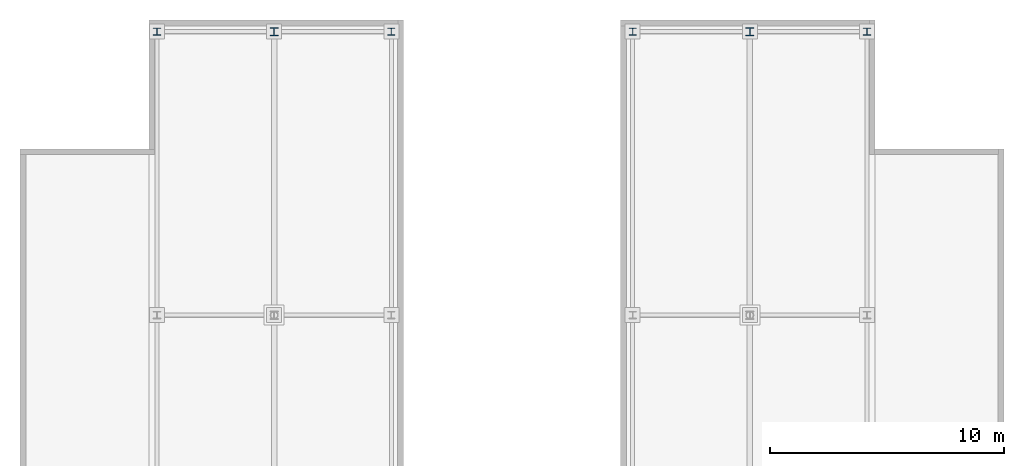
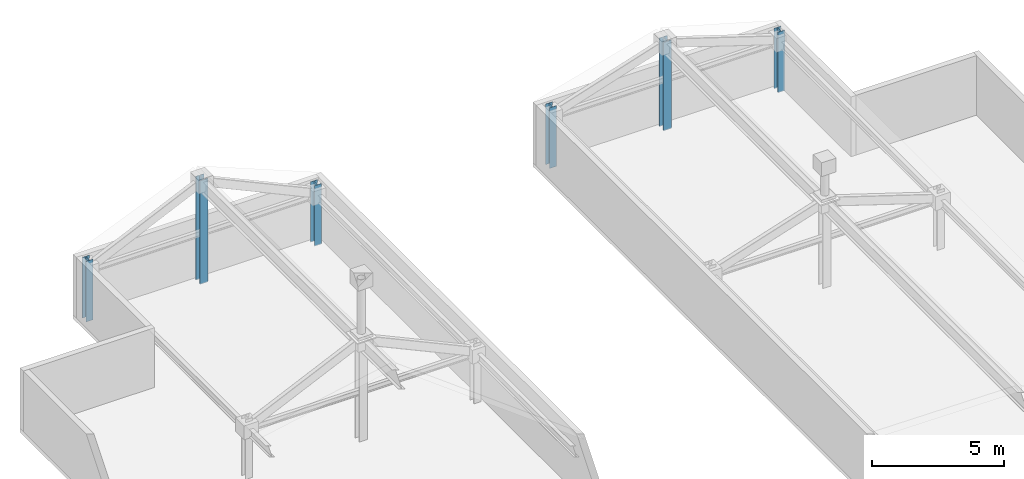
# One storey, part 2 of 9: 6 columns.
"""IFC4 building model written with IfcOpenShell, lengths in metres."""

from ifc_helpers import new_model, si_unit, direction, frame, origin, origin_2d, place, context, subcontext, project, spatial, i_section, extrude, material, material_profile, profile_set, type_object, element, save


model = new_model("IFC4")

# Units and contexts
model_context = context("Model", 3, precision=1e-05, world=origin(), true_north=direction((0.0, 1.0)))
body_context = subcontext(model_context, "Body", "Model", "MODEL_VIEW")
ifc_project = project(units=[si_unit("LENGTHUNIT", "METRE"), si_unit("AREAUNIT", "SQUARE_METRE"), si_unit("VOLUMEUNIT", "CUBIC_METRE"), si_unit("PLANEANGLEUNIT", "RADIAN"), si_unit("MASSUNIT", "GRAM", prefix="KILO")], contexts=[model_context])

# Site, building, storey
site_placement = place(None, origin())
site = spatial("IfcSite", under=ifc_project, at=site_placement, CompositionType="ELEMENT")
building_placement = place(site_placement, origin())
building = spatial("IfcBuilding", under=site, at=building_placement, Name="Cairnveth Concourse Tower", CompositionType="ELEMENT")
storey_placement = place(building_placement, frame((0.0, 0.0, 335.5)))
storey = spatial("IfcBuildingStorey", under=building, at=storey_placement, Name="RF", CompositionType="ELEMENT", Elevation=335.5)

# Columns
ifc_material = material(Name="Steel Grade 350", Category="steel")
ifc_material_profile_1 = material_profile(ifc_material, i_section(OverallWidth=0.306884765625, OverallDepth=0.31494140625, WebThickness=0.011962890625, FlangeThickness=0.018798828125, FilletRadius=0.01611328125, at=origin_2d()), Name="310UC118")
ifc_profile_set_1 = profile_set([ifc_material_profile_1], Name="Steel Grade 350")
column_type_1 = type_object("IfcColumnType", Name="UNIVERSAL STEEL COLUMN 310UC118", PredefinedType="COLUMN", material=ifc_profile_set_1)
for number, where, z_axis, x_axis, name in (
    (1, (36.85009765625, 59.5, 0.0), (0.0, 0.0, 1.0), (1.0, 0.0, 0.0), "Column PKW-L4 RF"),
    (2, (46.85009765625, 59.5, 0.0), (0.0, 0.0, 1.0), (1.0, 0.0, 0.0), "Column PKW-R4 RF"),
    (3, (57.14990234375, 59.5, 0.0), (0.0, 0.0, 1.0), (1.0, 0.0, 0.0), "Column PKE-L4 RF"),
    (4, (67.14990234375, 59.5, 0.0), (0.0, 0.0, 1.0), (1.0, 0.0, 0.0), "Column PKE-R4 RF"),
):
    element("IfcColumn", number, at=place(storey_placement, frame(where, z_axis=z_axis, x_axis=x_axis)), inside=storey, type_object=column_type_1, Name=name, PredefinedType="COLUMN", context=body_context, shape_type="SweptSolid", body=[
        extrude(i_section(OverallWidth=0.306884765625, OverallDepth=0.31494140625, WebThickness=0.011962890625, FlangeThickness=0.018798828125, FilletRadius=0.01611328125, at=origin_2d()), origin(), (0.0, 0.0, 1.0), 2.800048828125),
    ])
ifc_material_profile_2 = material_profile(ifc_material, i_section(OverallWidth=0.35009765625, OverallDepth=0.35009765625, WebThickness=0.02001953125, FlangeThickness=0.028076171875, at=origin_2d()), Name="350WC197")
ifc_profile_set_2 = profile_set([ifc_material_profile_2], Name="Steel Grade 350")
column_type_2 = type_object("IfcColumnType", Name="WELDED STEEL COLUMN 350WC197", PredefinedType="COLUMN", material=ifc_profile_set_2)
column_1_placement = place(storey_placement, frame((41.85009765625, 59.5, 0.0), z_axis=(0.0, 0.0, 1.0), x_axis=(1.0, 0.0, 0.0)))
element("IfcColumn", 5, at=column_1_placement, inside=storey, type_object=column_type_2, Name="Column PKW-M4 RF", PredefinedType="COLUMN", context=body_context, shape_type="SweptSolid", body=[
    extrude(i_section(OverallWidth=0.35009765625, OverallDepth=0.35009765625, WebThickness=0.02001953125, FlangeThickness=0.028076171875, at=origin_2d()), origin(), (0.0, 0.0, 1.0), 4.800048828125),
])
column_2_placement = place(storey_placement, frame((62.14990234375, 59.5, 0.0), z_axis=(0.0, 0.0, 1.0), x_axis=(1.0, 0.0, 0.0)))
element("IfcColumn", 6, at=column_2_placement, inside=storey, type_object=column_type_2, Name="Column PKE-M4 RF", PredefinedType="COLUMN", context=body_context, shape_type="SweptSolid", body=[
    extrude(i_section(OverallWidth=0.35009765625, OverallDepth=0.35009765625, WebThickness=0.02001953125, FlangeThickness=0.028076171875, at=origin_2d()), origin(), (0.0, 0.0, 1.0), 4.10009765625),
])

save(model, "model.ifc")
